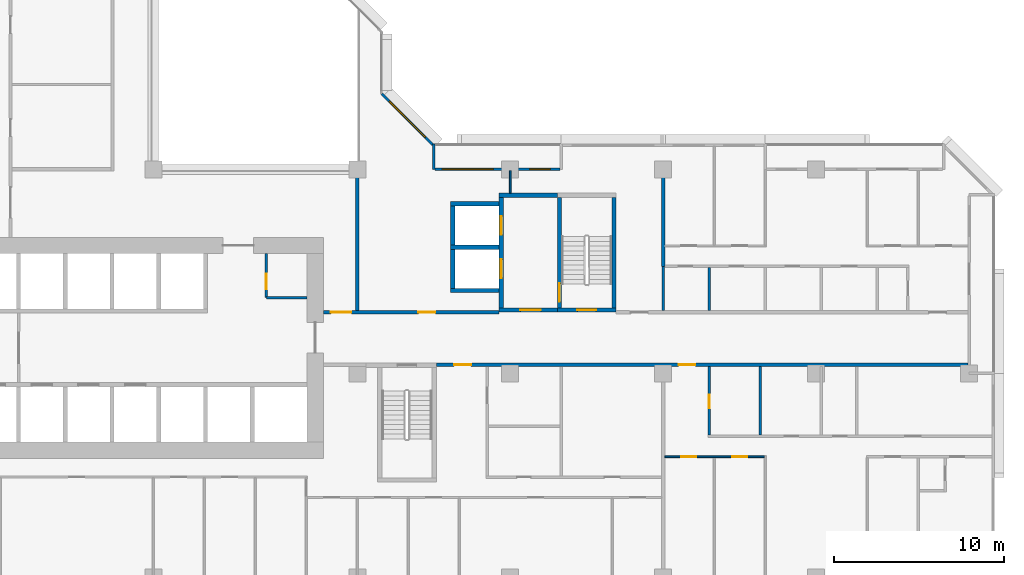
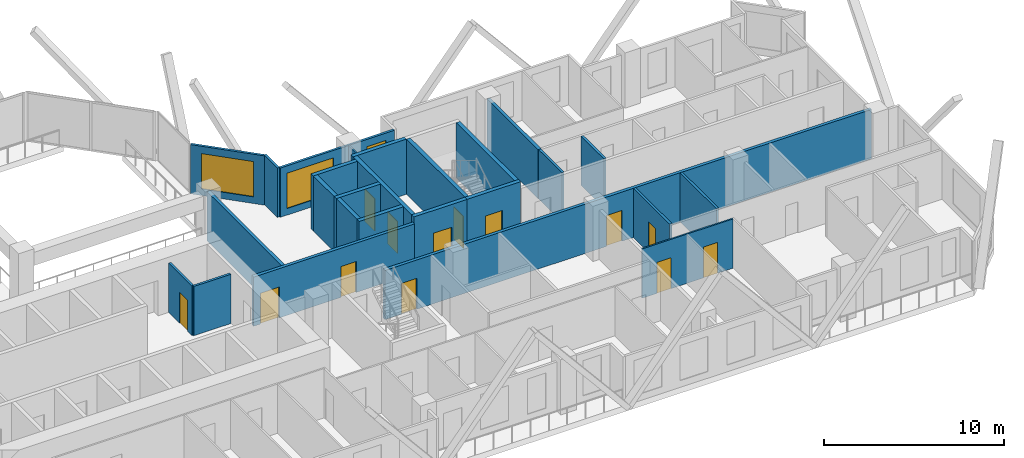
# One storey, part 7 of 16: 26 walls, 13 doors, 3 windows, 16 openings.
"""IFC4 building model written with IfcOpenShell, lengths in metres."""

import ifcopenshell
import ifcopenshell.guid

model = None  # the IFC model being written
_history = None  # IfcOwnerHistory: only IFC2X3 demands one
_inside = {}  # id of a spatial element -> (the spatial element, [elements in it])
_under = {}  # id of a project, library or spatial element -> (it, [spatial elements below it])
_declared = {}  # id of a project -> (the project, [libraries it declares])
_typed = {}  # id of a type object -> (the type object, [elements of that type])
_made_of = {}  # id of a material, layer set ... -> (it, [elements and type objects made of it])


def new_model(schema):
    """Start an empty IFC model of exactly this schema.

    Asked for "IFC4X3", IfcOpenShell would pick the latest addendum, in which some entities
    have other attributes; the version numbers below select the first issue.
    IFC2X3 requires an IfcOwnerHistory on every rooted entity: one is made here for all.
    """
    global model, _history
    if schema == "IFC4X3":
        model = ifcopenshell.file(schema_version=(4, 3, 0, 0))
    else:
        model = ifcopenshell.file(schema=schema)
    _inside.clear()
    _under.clear()
    _declared.clear()
    _typed.clear()
    _made_of.clear()
    _history = None
    if model.schema == "IFC2X3":
        org = make("IfcOrganization", Name="unknown")
        user = make(
            "IfcPersonAndOrganization",
            ThePerson=make("IfcPerson", FamilyName="unknown"),
            TheOrganization=org,
        )
        app = make(
            "IfcApplication",
            ApplicationDeveloper=org,
            Version="unknown",
            ApplicationFullName="unknown",
            ApplicationIdentifier="unknown",
        )
        _history = make(
            "IfcOwnerHistory",
            OwningUser=user,
            OwningApplication=app,
            ChangeAction="ADDED",
            CreationDate=0,
        )
    return model


def make(cls, **values):
    """One entity of the class cls with the attributes given. An attribute that is None is left unset."""
    return model.create_entity(
        cls, **{name: value for name, value in values.items() if value is not None}
    )


def rooted(cls, **values):
    """An entity with a GlobalId (a new one), such as an element, a storey or a relation."""
    return make(cls, GlobalId=ifcopenshell.guid.new(), OwnerHistory=_history, **values)


def si_unit(unit_type, name, prefix=None):
    """IfcSIUnit, for example si_unit("LENGTHUNIT", "METRE", prefix="MILLI")."""
    return make("IfcSIUnit", UnitType=unit_type, Prefix=prefix, Name=name)


def assignment(units):
    """IfcUnitAssignment: the units of a project."""
    return None if units is None else make("IfcUnitAssignment", Units=units)


def point(xyz):
    """IfcCartesianPoint."""
    return None if xyz is None else make("IfcCartesianPoint", Coordinates=xyz)


def direction(xyz):
    """IfcDirection."""
    return None if xyz is None else make("IfcDirection", DirectionRatios=xyz)


def frame(location, z_axis=None, x_axis=None):
    """IfcAxis2Placement3D, a coordinate frame: its origin and axes. An axis left out is left unset."""
    return make(
        "IfcAxis2Placement3D",
        Location=point(location),
        Axis=direction(z_axis),
        RefDirection=direction(x_axis),
    )


def frame_2d(location, x_axis=None):
    """IfcAxis2Placement2D, a coordinate frame in the plane: its origin and x axis."""
    return make(
        "IfcAxis2Placement2D", Location=point(location), RefDirection=direction(x_axis)
    )


def origin():
    """The frame at (0, 0, 0) with its axes left unset."""
    return frame((0.0, 0.0, 0.0))


def place(relative_to, where):
    """IfcLocalPlacement: puts the frame where relative to a parent placement (None: the world)."""
    return make(
        "IfcLocalPlacement", PlacementRelTo=relative_to, RelativePlacement=where
    )


def context(
    kind, dimensions, precision=None, world=None, true_north=None, identifier=None
):
    """IfcGeometricRepresentationContext, for example the 3D "Model" context."""
    return make(
        "IfcGeometricRepresentationContext",
        ContextIdentifier=identifier,
        ContextType=kind,
        CoordinateSpaceDimension=dimensions,
        Precision=precision,
        WorldCoordinateSystem=world,
        TrueNorth=true_north,
    )


def subcontext(parent, identifier, kind, view, scale=None):
    """IfcGeometricRepresentationSubContext, for example "Body" below "Model"."""
    return make(
        "IfcGeometricRepresentationSubContext",
        ContextIdentifier=identifier,
        ContextType=kind,
        ParentContext=parent,
        TargetScale=scale,
        TargetView=view,
    )


def project(units=None, contexts=None):
    """IfcProject with its units and contexts."""
    return rooted(
        "IfcProject",
        Name="project",
        RepresentationContexts=contexts,
        UnitsInContext=assignment(units),
    )


def spatial(cls, under=None, at=None, **own):
    """A site, building, storey or space (cls), placed at a placement, below another one or the project."""
    s = rooted(cls, ObjectPlacement=at, **own)
    if under is not None:
        _under.setdefault(under.id(), (under, []))[1].append(s)
    return s


def profile(cls, at=None, kind="AREA", **sizes):
    """A parametric profile (cls). Its sizes go by their IFC names, for example OverallWidth=200.0."""
    return make(cls, ProfileType=kind, Position=at, **sizes)


def rectangle(**sizes):
    """IfcRectangleProfileDef."""
    return profile("IfcRectangleProfileDef", **sizes)


def extrude(swept, where, along, depth):
    """IfcExtrudedAreaSolid: the profile swept, set in the frame where, extruded along a direction by depth."""
    return make(
        "IfcExtrudedAreaSolid",
        SweptArea=swept,
        Position=where,
        ExtrudedDirection=direction(along),
        Depth=depth,
    )


def shape(context_of_items, identifier, shape_type, items):
    """IfcShapeRepresentation: the items that make up one representation, for example the "Body"."""
    return make(
        "IfcShapeRepresentation",
        ContextOfItems=context_of_items,
        RepresentationIdentifier=identifier,
        RepresentationType=shape_type,
        Items=items,
    )


def material(Name=None, Category=None):
    """IfcMaterial."""
    return make("IfcMaterial", Name=Name, Category=Category)


def layer(
    of_material, thickness, ventilated=None, Name=None, Category=None, Priority=None
):
    """IfcMaterialLayer: one layer of a wall or slab, of a material (None: an air gap)."""
    return make(
        "IfcMaterialLayer",
        Material=of_material,
        LayerThickness=thickness,
        IsVentilated=ventilated,
        Name=Name,
        Category=Category,
        Priority=Priority,
    )


def layer_set(layers, Name=None):
    """IfcMaterialLayerSet."""
    return make("IfcMaterialLayerSet", MaterialLayers=layers, LayerSetName=Name)


def made_of(thing, what):
    """Note that an element or type object is made of a material, layer set ...; save() writes the relation."""
    if what is not None:
        _made_of.setdefault(what.id(), (what, []))[1].append(thing)
    return thing


def type_object(cls, material=None, **own):
    """A type object (cls), such as IfcWallType, which elements share."""
    return made_of(rooted(cls, **own), material)


def element(
    cls,
    number,
    at=None,
    inside=None,
    cuts=None,
    type_object=None,
    material=None,
    context=None,
    identifier="Body",
    shape_type=None,
    held_by="IfcProductDefinitionShape",
    body=None,
    shapes=None,
    **own,
):
    """One element of the class cls, such as IfcWall. Its Tag is "e" and its number.

    at: its placement. inside: the storey or other place that contains it. cuts: it is an
    opening in that element (IfcRelVoidsElement). A single representation is given by context,
    identifier, shape_type and body (its items); several are given by shapes. held_by: the class
    of the entity that holds the representations. save() writes the other relations.
    """
    e = rooted(cls, Tag="e%d" % number, ObjectPlacement=at, **own)
    if body is not None:
        shapes = [shape(context, identifier, shape_type, body)]
    if shapes is not None:
        e.Representation = make(held_by, Representations=shapes)
    if inside is not None:
        _inside.setdefault(inside.id(), (inside, []))[1].append(e)
    if cuts is not None:
        rooted(
            "IfcRelVoidsElement", RelatingBuildingElement=cuts, RelatedOpeningElement=e
        )
    if type_object is not None:
        _typed.setdefault(type_object.id(), (type_object, []))[1].append(e)
    return made_of(e, material)


def fill(opening, filler):
    """IfcRelFillsElement: the door or window that sits in an opening."""
    return rooted(
        "IfcRelFillsElement",
        RelatingOpeningElement=opening,
        RelatedBuildingElement=filler,
    )


def aggregate(whole, parts):
    """IfcRelAggregates: a whole, such as a stair, and the parts it consists of."""
    return rooted("IfcRelAggregates", RelatingObject=whole, RelatedObjects=parts)


def save(model, path):
    """Write the relations noted so far, then the file.

    IfcRelAggregates (storeys below a building ...), IfcRelContainedInSpatialStructure (elements
    in a storey), IfcRelDefinesByType, IfcRelAssociatesMaterial and IfcRelDeclares: one each for
    every whole, place, type object, material and project.
    """
    for whole, parts in _under.values():
        aggregate(whole, parts)
    for where, things in _inside.values():
        rooted(
            "IfcRelContainedInSpatialStructure",
            RelatedElements=things,
            RelatingStructure=where,
        )
    for kind, things in _typed.values():
        rooted("IfcRelDefinesByType", RelatedObjects=things, RelatingType=kind)
    for what, things in _made_of.values():
        rooted("IfcRelAssociatesMaterial", RelatedObjects=things, RelatingMaterial=what)
    for by, libraries in _declared.values():
        rooted("IfcRelDeclares", RelatingContext=by, RelatedDefinitions=libraries)
    model.write(path)


model = new_model("IFC4")

# Units and contexts
model_context = context("Model", 3, precision=1e-05, world=origin(), true_north=direction((0.0, 1.0)))
body_context = subcontext(model_context, "Body", "Model", "MODEL_VIEW")
ifc_project = project(units=[si_unit("LENGTHUNIT", "METRE"), si_unit("AREAUNIT", "SQUARE_METRE"), si_unit("VOLUMEUNIT", "CUBIC_METRE"), si_unit("PLANEANGLEUNIT", "RADIAN"), si_unit("MASSUNIT", "GRAM", prefix="KILO")], contexts=[model_context])

# Site, building, storey
site_placement = place(None, origin())
site = spatial("IfcSite", under=ifc_project, at=site_placement, CompositionType="ELEMENT")
building_placement = place(site_placement, origin())
building = spatial("IfcBuilding", under=site, at=building_placement, Name="Chenar Terraces", CompositionType="ELEMENT")
storey_placement = place(building_placement, frame((0.0, 0.0, 99.39990234375)))
storey = spatial("IfcBuildingStorey", under=building, at=storey_placement, Name="L22", CompositionType="ELEMENT", Elevation=99.39990234375)

# Wall, opening, door
ifc_material_1 = material(Name="Gypsum board on steel studs", Category="steel")
ifc_layer_1 = layer(ifc_material_1, 0.14990234375)
ifc_layer_set_1 = layer_set([ifc_layer_1], Name="Gypsum board on steel studs")
wall_type_1 = type_object("IfcWallType", Name="Core partition 150 gypsum board", PredefinedType="PARTITIONING", material=ifc_layer_set_1)
wall_1_placement = place(storey_placement, frame((30.64990234375, 16.449951171875, 0.0), z_axis=(0.0, 0.0, 1.0), x_axis=(0.0, 1.0, 0.0)))
wall_1 = element("IfcWall", 1, at=wall_1_placement, inside=storey, type_object=wall_type_1, Name="Core partition CP1 vestibule room west wall", PredefinedType="PARTITIONING", context=body_context, shape_type="SweptSolid", body=[
    extrude(rectangle(XDim=2.60009765625, YDim=0.14990234375, at=frame_2d((1.300048828125, 0.0))), origin(), (0.0, 0.0, 1.0), 3.35009765625),
])
opening_1_placement = place(wall_1_placement, frame((0.5, 0.0, 0.0)))
opening_1 = element("IfcOpeningElement", 2, at=opening_1_placement, cuts=wall_1, Name="Opening DL22-C13", PredefinedType="OPENING", context=body_context, shape_type="SweptSolid", body=[
    extrude(rectangle(XDim=0.89990234375, YDim=2.10009765625, at=frame_2d((0.449951171875, 1.050048828125))), frame((0.0, 0.0849609375, 0.0), z_axis=(0.0, -1.0, 0.0), x_axis=(1.0, 0.0, 0.0)), (0.0, 0.0, 1.0), 0.169921875),
])
ifc_material_2 = material(Name="Steel-framed fire-resisting door leaf", Category="steel")
door_type_1 = type_object("IfcDoorType", Name="Riser fire door FD60 900 x 2100", OperationType="SINGLE_SWING_LEFT", PredefinedType="DOOR", material=ifc_material_2)
door_1_placement = place(opening_1_placement, frame((0.89990234375, 0.0, 0.0), z_axis=(0.0, 0.0, 1.0), x_axis=(-1.0, 0.0, 0.0)))
door_1 = element("IfcDoor", 3, at=door_1_placement, inside=storey, type_object=door_type_1, Name="Core room door DL22-C13", OperationType="SINGLE_SWING_RIGHT", OverallHeight=2.10009765625, OverallWidth=0.89990234375, PredefinedType="DOOR", context=body_context, shape_type="SweptSolid", body=[
    extrude(rectangle(XDim=0.89990234375, YDim=2.10009765625, at=frame_2d((0.449951171875, 1.050048828125))), frame((0.0, 0.02490234375, 0.0), z_axis=(0.0, -1.0, 0.0), x_axis=(1.0, 0.0, 0.0)), (0.0, 0.0, 1.0), 0.050048828125),
])
fill(opening_1, door_1)

# Wall
wall_2_placement = place(storey_placement, frame((30.64990234375, 16.449951171875, 0.0), z_axis=(0.0, 0.0, 1.0), x_axis=(1.0, 0.0, 0.0)))
element("IfcWall", 4, at=wall_2_placement, inside=storey, type_object=wall_type_1, Name="Core partition CP1 vestibule room south wall", PredefinedType="PARTITIONING", context=body_context, shape_type="SweptSolid", body=[
    extrude(rectangle(XDim=2.400146484375, YDim=0.14990234375, at=frame_2d((1.2001953125, 0.0))), origin(), (0.0, 0.0, 1.0), 3.35009765625),
])

# Wall, opening, door
ifc_material_3 = material(Name="Concrete C70/85", Category="concrete")
ifc_layer_2 = layer(ifc_material_3, 0.25)
ifc_layer_set_2 = layer_set([ifc_layer_2], Name="Concrete C70/85")
wall_type_2 = type_object("IfcWallType", Name="Core wall 250 Concrete C70/85", PredefinedType="SHEAR", material=ifc_layer_set_2)
wall_3_placement = place(storey_placement, frame((47.77490234375, 15.72509765625, 0.0), z_axis=(0.0, 0.0, 1.0), x_axis=(1.0, 0.0, 0.0)))
wall_3 = element("IfcWall", 5, at=wall_3_placement, inside=storey, type_object=wall_type_2, Name="Core wall ST3_S L22", PredefinedType="SHEAR", context=body_context, shape_type="SweptSolid", body=[
    extrude(rectangle(XDim=3.4501953125, YDim=0.25, at=frame_2d((1.72509765625, 0.0))), origin(), (0.0, 0.0, 1.0), 3.75),
])
opening_2_placement = place(wall_3_placement, frame((1.175048828125, 0.0, 0.0)))
opening_2 = element("IfcOpeningElement", 6, at=opening_2_placement, cuts=wall_3, Name="Opening DL22-C8", PredefinedType="OPENING", context=body_context, shape_type="SweptSolid", body=[
    extrude(rectangle(XDim=1.10009765625, YDim=2.199951171875, at=frame_2d((0.550048828125, 1.10009765625))), frame((0.0, 0.135009765625, 0.0), z_axis=(0.0, -1.0, 0.0), x_axis=(1.0, 0.0, 0.0)), (0.0, 0.0, 1.0), 0.27001953125),
])
ifc_material_4 = material(Name="Steel-framed fire-resisting door leaf", Category="steel")
door_type_2 = type_object("IfcDoorType", Name="Stair fire door FD60 1100 x 2200", OperationType="SINGLE_SWING_LEFT", PredefinedType="DOOR", material=ifc_material_4)
door_2_placement = place(opening_2_placement, frame((1.10009765625, 0.0, 0.0), z_axis=(0.0, 0.0, 1.0), x_axis=(-1.0, 0.0, 0.0)))
door_2 = element("IfcDoor", 7, at=door_2_placement, inside=storey, type_object=door_type_2, Name="Stair door DL22-C8", OperationType="SINGLE_SWING_LEFT", OverallHeight=2.199951171875, OverallWidth=1.10009765625, PredefinedType="DOOR", context=body_context, shape_type="SweptSolid", body=[
    extrude(rectangle(XDim=1.10009765625, YDim=2.199951171875, at=frame_2d((0.550048828125, 1.10009765625))), frame((0.0, 0.02490234375, 0.0), z_axis=(0.0, -1.0, 0.0), x_axis=(1.0, 0.0, 0.0)), (0.0, 0.0, 1.0), 0.050048828125),
])
fill(opening_2, door_2)

wall_4_placement = place(storey_placement, frame((47.89990234375, 15.85009765625, 0.0), z_axis=(0.0, 0.0, 1.0), x_axis=(0.0, 1.0, 0.0)))
wall_4 = element("IfcWall", 8, at=wall_4_placement, inside=storey, type_object=wall_type_2, Name="Core wall ST3_W L22", PredefinedType="SHEAR", context=body_context, shape_type="SweptSolid", body=[
    extrude(rectangle(XDim=6.5, YDim=0.25, at=frame_2d((3.25, 0.0))), origin(), (0.0, 0.0, 1.0), 3.75),
])
opening_3_placement = place(wall_4_placement, frame((0.35009765625, 0.0, 0.0)))
opening_3 = element("IfcOpeningElement", 9, at=opening_3_placement, cuts=wall_4, Name="Opening DL22-C11", PredefinedType="OPENING", context=body_context, shape_type="SweptSolid", body=[
    extrude(rectangle(XDim=1.10009765625, YDim=2.199951171875, at=frame_2d((0.550048828125, 1.10009765625))), frame((0.0, 0.135009765625, 0.0), z_axis=(0.0, -1.0, 0.0), x_axis=(1.0, 0.0, 0.0)), (0.0, 0.0, 1.0), 0.27001953125),
])
door_3_placement = place(opening_3_placement, frame((1.10009765625, 0.0, 0.0), z_axis=(0.0, 0.0, 1.0), x_axis=(-1.0, 0.0, 0.0)))
door_3 = element("IfcDoor", 10, at=door_3_placement, inside=storey, type_object=door_type_2, Name="Stair door DL22-C11", OperationType="SINGLE_SWING_RIGHT", OverallHeight=2.199951171875, OverallWidth=1.10009765625, PredefinedType="DOOR", context=body_context, shape_type="SweptSolid", body=[
    extrude(rectangle(XDim=1.10009765625, YDim=2.199951171875, at=frame_2d((0.550048828125, 1.10009765625))), frame((0.0, 0.02490234375, 0.0), z_axis=(0.0, -1.0, 0.0), x_axis=(1.0, 0.0, 0.0)), (0.0, 0.0, 1.0), 0.050048828125),
])
fill(opening_3, door_3)

# Wall
wall_5_placement = place(storey_placement, frame((51.10009765625, 15.85009765625, 0.0), z_axis=(0.0, 0.0, 1.0), x_axis=(0.0, 1.0, 0.0)))
element("IfcWall", 11, at=wall_5_placement, inside=storey, type_object=wall_type_2, Name="Core wall ST3_E L22", PredefinedType="SHEAR", context=body_context, shape_type="SweptSolid", body=[
    extrude(rectangle(XDim=6.5, YDim=0.25, at=frame_2d((3.25, 0.0))), origin(), (0.0, 0.0, 1.0), 3.75),
])

# Wall, opening, door
wall_6_placement = place(storey_placement, frame((44.35009765625, 15.72509765625, 0.0), z_axis=(0.0, 0.0, 1.0), x_axis=(1.0, 0.0, 0.0)))
wall_6 = element("IfcWall", 12, at=wall_6_placement, inside=storey, type_object=wall_type_2, Name="Core wall F3_LS L22", PredefinedType="SHEAR", context=body_context, shape_type="SweptSolid", body=[
    extrude(rectangle(XDim=3.4248046875, YDim=0.25, at=frame_2d((1.71240234375, 0.0))), origin(), (0.0, 0.0, 1.0), 3.75),
])
opening_4_placement = place(wall_6_placement, frame((1.25, 0.0, 0.0)))
opening_4 = element("IfcOpeningElement", 13, at=opening_4_placement, cuts=wall_6, Name="Opening DL22-C10", PredefinedType="OPENING", context=body_context, shape_type="SweptSolid", body=[
    extrude(rectangle(XDim=1.199951171875, YDim=2.199951171875, at=frame_2d((0.60009765625, 1.10009765625))), frame((0.0, 0.135009765625, 0.0), z_axis=(0.0, -1.0, 0.0), x_axis=(1.0, 0.0, 0.0)), (0.0, 0.0, 1.0), 0.27001953125),
])
ifc_material_5 = material(Name="Steel-framed fire-resisting door leaf", Category="steel")
door_type_3 = type_object("IfcDoorType", Name="Lobby fire door FD60 1200 x 2200", OperationType="SINGLE_SWING_LEFT", PredefinedType="DOOR", material=ifc_material_5)
door_4_placement = place(opening_4_placement, origin())
door_4 = element("IfcDoor", 14, at=door_4_placement, inside=storey, type_object=door_type_3, Name="Core door DL22-C10", OperationType="SINGLE_SWING_RIGHT", OverallHeight=2.199951171875, OverallWidth=1.199951171875, PredefinedType="DOOR", context=body_context, shape_type="SweptSolid", body=[
    extrude(rectangle(XDim=1.199951171875, YDim=2.199951171875, at=frame_2d((0.60009765625, 1.10009765625))), frame((0.0, 0.02490234375, 0.0), z_axis=(0.0, -1.0, 0.0), x_axis=(1.0, 0.0, 0.0)), (0.0, 0.0, 1.0), 0.050048828125),
])
fill(opening_4, door_4)

# Wall
wall_7_placement = place(storey_placement, frame((44.35009765625, 22.47509765625, 0.0), z_axis=(0.0, 0.0, 1.0), x_axis=(1.0, 0.0, 0.0)))
element("IfcWall", 15, at=wall_7_placement, inside=storey, type_object=wall_type_2, Name="Core wall F3_LN L22", PredefinedType="SHEAR", context=body_context, shape_type="SweptSolid", body=[
    extrude(rectangle(XDim=3.4248046875, YDim=0.25, at=frame_2d((1.71240234375, 0.0))), origin(), (0.0, 0.0, 1.0), 3.75),
])

# Wall, openings, doors
wall_8_placement = place(storey_placement, frame((44.47509765625, 15.85009765625, 0.0), z_axis=(0.0, 0.0, 1.0), x_axis=(0.0, 1.0, 0.0)))
wall_8 = element("IfcWall", 16, at=wall_8_placement, inside=storey, type_object=wall_type_2, Name="Core wall F3_LW L22", PredefinedType="SHEAR", context=body_context, shape_type="SweptSolid", body=[
    extrude(rectangle(XDim=6.5, YDim=0.25, at=frame_2d((3.25, 0.0))), origin(), (0.0, 0.0, 1.0), 3.75),
])
opening_5_placement = place(wall_8_placement, frame((1.75, 0.0, 0.0)))
opening_5 = element("IfcOpeningElement", 17, at=opening_5_placement, cuts=wall_8, Name="Opening DL22-LD8", PredefinedType="OPENING", context=body_context, shape_type="SweptSolid", body=[
    extrude(rectangle(XDim=1.10009765625, YDim=2.199951171875, at=frame_2d((0.550048828125, 1.10009765625))), frame((0.0, 0.135009765625, 0.0), z_axis=(0.0, -1.0, 0.0), x_axis=(1.0, 0.0, 0.0)), (0.0, 0.0, 1.0), 0.27001953125),
])
opening_6_placement = place(wall_8_placement, frame((4.300048828125, 0.0, 0.0)))
opening_6 = element("IfcOpeningElement", 18, at=opening_6_placement, cuts=wall_8, Name="Opening DL22-LD9", PredefinedType="OPENING", context=body_context, shape_type="SweptSolid", body=[
    extrude(rectangle(XDim=1.10009765625, YDim=2.199951171875, at=frame_2d((0.550048828125, 1.10009765625))), frame((0.0, 0.135009765625, 0.0), z_axis=(0.0, -1.0, 0.0), x_axis=(1.0, 0.0, 0.0)), (0.0, 0.0, 1.0), 0.27001953125),
])
ifc_material_6 = material(Name="Stainless steel", Category="steel")
door_type_4 = type_object("IfcDoorType", Name="Lift landing door 1100 x 2200 sliding", OperationType="DOUBLE_DOOR_SLIDING", PredefinedType="DOOR", material=ifc_material_6)
door_5_placement = place(opening_5_placement, origin())
door_5 = element("IfcDoor", 19, at=door_5_placement, inside=storey, type_object=door_type_4, Name="Landing door F3", OperationType="DOUBLE_DOOR_SLIDING", OverallHeight=2.199951171875, OverallWidth=1.10009765625, PredefinedType="DOOR", context=body_context, shape_type="SweptSolid", body=[
    extrude(rectangle(XDim=1.10009765625, YDim=2.199951171875, at=frame_2d((0.550048828125, 1.10009765625))), frame((0.0, 0.02490234375, 0.0), z_axis=(0.0, -1.0, 0.0), x_axis=(1.0, 0.0, 0.0)), (0.0, 0.0, 1.0), 0.050048828125),
])
fill(opening_5, door_5)
door_6_placement = place(opening_6_placement, origin())
door_6 = element("IfcDoor", 20, at=door_6_placement, inside=storey, type_object=door_type_4, Name="Landing door F4", OperationType="DOUBLE_DOOR_SLIDING", OverallHeight=2.199951171875, OverallWidth=1.10009765625, PredefinedType="DOOR", context=body_context, shape_type="SweptSolid", body=[
    extrude(rectangle(XDim=1.10009765625, YDim=2.199951171875, at=frame_2d((0.550048828125, 1.10009765625))), frame((0.0, 0.02490234375, 0.0), z_axis=(0.0, -1.0, 0.0), x_axis=(1.0, 0.0, 0.0)), (0.0, 0.0, 1.0), 0.050048828125),
])
fill(opening_6, door_6)

# Walls
for number, where, z_axis, x_axis, name in (
    (21, (41.5, 16.875, 0.0), (0.0, 0.0, 1.0), (1.0, 0.0, 0.0), "Core wall F3_SS L22"),
    (22, (41.5, 19.425048828125, 0.0), (0.0, 0.0, 1.0), (1.0, 0.0, 0.0), "Core wall F3_SM L22"),
    (23, (41.5, 21.97509765625, 0.0), (0.0, 0.0, 1.0), (1.0, 0.0, 0.0), "Core wall F4_SN L22"),
):
    element("IfcWall", number, at=place(storey_placement, frame(where, z_axis=z_axis, x_axis=x_axis)), inside=storey, type_object=wall_type_2, Name=name, PredefinedType="SHEAR", context=body_context, shape_type="SweptSolid", body=[
        extrude(rectangle(XDim=2.85009765625, YDim=0.25, at=frame_2d((1.425048828125, 0.0))), origin(), (0.0, 0.0, 1.0), 3.75),
    ])
for number, where, z_axis, x_axis, name in (
    (24, (41.625, 17.0, 0.0), (0.0, 0.0, 1.0), (0.0, 1.0, 0.0), "Core wall F3_SW L22"),
    (25, (41.625, 19.550048828125, 0.0), (0.0, 0.0, 1.0), (0.0, 1.0, 0.0), "Core wall F4_SW L22"),
):
    element("IfcWall", number, at=place(storey_placement, frame(where, z_axis=z_axis, x_axis=x_axis)), inside=storey, type_object=wall_type_2, Name=name, PredefinedType="SHEAR", context=body_context, shape_type="SweptSolid", body=[
        extrude(rectangle(XDim=2.300048828125, YDim=0.25, at=frame_2d((1.14990234375, 0.0))), origin(), (0.0, 0.0, 1.0), 3.75),
    ])

# Wall, openings, doors
ifc_material_7 = material(Name="Gypsum board on steel studs with fire boards", Category="steel")
ifc_layer_3 = layer(ifc_material_7, 0.199951171875)
ifc_layer_set_3 = layer_set([ifc_layer_3], Name="Gypsum board on steel studs with fire boards")
wall_type_3 = type_object("IfcWallType", Name="Corridor wall 200", PredefinedType="PARTITIONING", material=ifc_layer_set_3)
wall_9_placement = place(storey_placement, frame((34.0, 15.60009765625, 0.0), z_axis=(0.0, 0.0, 1.0), x_axis=(1.0, 0.0, 0.0)))
wall_9 = element("IfcWall", 26, at=wall_9_placement, inside=storey, type_object=wall_type_3, Name="Partition L22-062", PredefinedType="PARTITIONING", context=body_context, shape_type="SweptSolid", body=[
    extrude(rectangle(XDim=10.35009765625, YDim=0.199951171875, at=frame_2d((5.175048828125, 0.0))), origin(), (0.0, 0.0, 1.0), 3.35009765625),
])
opening_7_placement = place(wall_9_placement, frame((5.60009765625, 0.0, 0.0)))
opening_7 = element("IfcOpeningElement", 27, at=opening_7_placement, cuts=wall_9, Name="Opening DL22-3", PredefinedType="OPENING", context=body_context, shape_type="SweptSolid", body=[
    extrude(rectangle(XDim=1.0, YDim=2.10009765625, at=frame_2d((0.5, 1.050048828125))), frame((0.0, 0.10986328125, 0.0), z_axis=(0.0, -1.0, 0.0), x_axis=(1.0, 0.0, 0.0)), (0.0, 0.0, 1.0), 0.219970703125),
])
opening_8_placement = place(wall_9_placement, frame((0.449951171875, 0.0, 0.0)))
opening_8 = element("IfcOpeningElement", 28, at=opening_8_placement, cuts=wall_9, Name="Opening DL22-48", PredefinedType="OPENING", context=body_context, shape_type="SweptSolid", body=[
    extrude(rectangle(XDim=1.199951171875, YDim=2.10009765625, at=frame_2d((0.60009765625, 1.050048828125))), frame((0.0, 0.10986328125, 0.0), z_axis=(0.0, -1.0, 0.0), x_axis=(1.0, 0.0, 0.0)), (0.0, 0.0, 1.0), 0.219970703125),
])
ifc_material_8 = material(Name="Steel-framed fire-resisting door leaf", Category="steel")
door_type_5 = type_object("IfcDoorType", Name="Fire door FD60 1000 x 2100", OperationType="SINGLE_SWING_LEFT", PredefinedType="DOOR", material=ifc_material_8)
door_7_placement = place(opening_7_placement, origin())
door_7 = element("IfcDoor", 29, at=door_7_placement, inside=storey, type_object=door_type_5, Name="Door DL22-3", OperationType="SINGLE_SWING_RIGHT", OverallHeight=2.10009765625, OverallWidth=1.0, PredefinedType="DOOR", context=body_context, shape_type="SweptSolid", body=[
    extrude(rectangle(XDim=1.0, YDim=2.10009765625, at=frame_2d((0.5, 1.050048828125))), frame((0.0, 0.02490234375, 0.0), z_axis=(0.0, -1.0, 0.0), x_axis=(1.0, 0.0, 0.0)), (0.0, 0.0, 1.0), 0.050048828125),
])
fill(opening_7, door_7)
ifc_material_9 = material(Name="Steel-framed fire-resisting door leaf", Category="steel")
door_type_6 = type_object("IfcDoorType", Name="Fire door FD60 1200 x 2100", OperationType="SINGLE_SWING_LEFT", PredefinedType="DOOR", material=ifc_material_9)
door_8_placement = place(opening_8_placement, origin())
door_8 = element("IfcDoor", 30, at=door_8_placement, inside=storey, type_object=door_type_6, Name="Door DL22-48", OperationType="SINGLE_SWING_RIGHT", OverallHeight=2.10009765625, OverallWidth=1.199951171875, PredefinedType="DOOR", context=body_context, shape_type="SweptSolid", body=[
    extrude(rectangle(XDim=1.199951171875, YDim=2.10009765625, at=frame_2d((0.60009765625, 1.050048828125))), frame((0.0, 0.02490234375, 0.0), z_axis=(0.0, -1.0, 0.0), x_axis=(1.0, 0.0, 0.0)), (0.0, 0.0, 1.0), 0.050048828125),
])
fill(opening_8, door_8)

# Wall
wall_10_placement = place(storey_placement, frame((36.0, 15.699951171875, 0.0), z_axis=(0.0, 0.0, 1.0), x_axis=(0.0, 1.0, 0.0)))
element("IfcWall", 31, at=wall_10_placement, inside=storey, type_object=wall_type_3, Name="Partition L22-064", PredefinedType="PARTITIONING", context=body_context, shape_type="SweptSolid", body=[
    extrude(rectangle(XDim=8.300048828125, YDim=0.199951171875, at=frame_2d((4.14990234375, 0.0))), origin(), (0.0, 0.0, 1.0), 3.35009765625),
])

# Wall, openings, doors
wall_11_placement = place(storey_placement, frame((40.64990234375, 12.5, 0.0), z_axis=(0.0, 0.0, 1.0), x_axis=(1.0, 0.0, 0.0)))
wall_11 = element("IfcWall", 32, at=wall_11_placement, inside=storey, type_object=wall_type_3, Name="Partition L22-066", PredefinedType="PARTITIONING", context=body_context, shape_type="SweptSolid", body=[
    extrude(rectangle(XDim=31.276123046875, YDim=0.199951171875, at=frame_2d((15.63818359375, 0.0))), origin(), (0.0, 0.0, 1.0), 3.35009765625),
])
opening_9_placement = place(wall_11_placement, frame((14.25, 0.0, 0.0)))
opening_9 = element("IfcOpeningElement", 33, at=opening_9_placement, cuts=wall_11, Name="Opening DL22-18", PredefinedType="OPENING", context=body_context, shape_type="SweptSolid", body=[
    extrude(rectangle(XDim=1.0, YDim=2.10009765625, at=frame_2d((0.5, 1.050048828125))), frame((0.0, 0.10986328125, 0.0), z_axis=(0.0, -1.0, 0.0), x_axis=(1.0, 0.0, 0.0)), (0.0, 0.0, 1.0), 0.219970703125),
])
opening_10_placement = place(wall_11_placement, frame((1.050048828125, 0.0, 0.0)))
opening_10 = element("IfcOpeningElement", 34, at=opening_10_placement, cuts=wall_11, Name="Opening DL22-64", PredefinedType="OPENING", context=body_context, shape_type="SweptSolid", body=[
    extrude(rectangle(XDim=1.0, YDim=2.10009765625, at=frame_2d((0.5, 1.050048828125))), frame((0.0, 0.10986328125, 0.0), z_axis=(0.0, -1.0, 0.0), x_axis=(1.0, 0.0, 0.0)), (0.0, 0.0, 1.0), 0.219970703125),
])
ifc_material_10 = material(Name="Steel-framed fire-resisting door leaf", Category="steel")
door_type_7 = type_object("IfcDoorType", Name="Fire door FD30S 1000 x 2100", OperationType="SINGLE_SWING_LEFT", PredefinedType="DOOR", material=ifc_material_10)
door_9_placement = place(opening_9_placement, frame((1.0, 0.0, 0.0), z_axis=(0.0, 0.0, 1.0), x_axis=(-1.0, 0.0, 0.0)))
door_9 = element("IfcDoor", 35, at=door_9_placement, inside=storey, type_object=door_type_7, Name="Door DL22-18", OperationType="SINGLE_SWING_RIGHT", OverallHeight=2.10009765625, OverallWidth=1.0, PredefinedType="DOOR", context=body_context, shape_type="SweptSolid", body=[
    extrude(rectangle(XDim=1.0, YDim=2.10009765625, at=frame_2d((0.5, 1.050048828125))), frame((0.0, 0.02490234375, 0.0), z_axis=(0.0, -1.0, 0.0), x_axis=(1.0, 0.0, 0.0)), (0.0, 0.0, 1.0), 0.050048828125),
])
fill(opening_9, door_9)
door_10_placement = place(opening_10_placement, origin())
door_10 = element("IfcDoor", 36, at=door_10_placement, inside=storey, type_object=door_type_7, Name="Door DL22-64", OperationType="SINGLE_SWING_RIGHT", OverallHeight=2.10009765625, OverallWidth=1.0, PredefinedType="DOOR", context=body_context, shape_type="SweptSolid", body=[
    extrude(rectangle(XDim=1.0, YDim=2.10009765625, at=frame_2d((0.5, 1.050048828125))), frame((0.0, 0.02490234375, 0.0), z_axis=(0.0, -1.0, 0.0), x_axis=(1.0, 0.0, 0.0)), (0.0, 0.0, 1.0), 0.050048828125),
])
fill(opening_10, door_10)

# Wall, openings, windows
ifc_material_11 = material(Name="Aluminium framed glazing", Category="aluminium")
ifc_layer_4 = layer(ifc_material_11, 0.14990234375)
ifc_layer_set_4 = layer_set([ifc_layer_4], Name="Aluminium framed glazing")
wall_type_4 = type_object("IfcWallType", Name="Glazed loggia back wall 150", PredefinedType="SOLIDWALL", material=ifc_layer_set_4)
wall_12_placement = place(storey_placement, frame((47.925048828125, 24.0, 0.0), z_axis=(0.0, 0.0, 1.0), x_axis=(-1.0, 0.0, 0.0)))
wall_12 = element("IfcWall", 37, at=wall_12_placement, inside=storey, type_object=wall_type_4, Name="Glazed loggia back wall", PredefinedType="SOLIDWALL", context=body_context, shape_type="SweptSolid", body=[
    extrude(rectangle(XDim=7.35009765625, YDim=0.14990234375, at=frame_2d((3.675048828125, 0.0))), origin(), (0.0, 0.0, 1.0), 3.35009765625),
])
opening_11_placement = place(wall_12_placement, frame((0.5625, 0.0, 0.449951171875)))
opening_11 = element("IfcOpeningElement", 38, at=opening_11_placement, cuts=wall_12, Name="Opening W120x240", PredefinedType="OPENING", context=body_context, shape_type="SweptSolid", body=[
    extrude(rectangle(XDim=1.199951171875, YDim=2.39990234375, at=frame_2d((0.60009765625, 1.199951171875))), frame((0.0, 0.0849609375, 0.0), z_axis=(0.0, -1.0, 0.0), x_axis=(1.0, 0.0, 0.0)), (0.0, 0.0, 1.0), 0.169921875),
])
opening_12_placement = place(wall_12_placement, frame((3.9375, 0.0, 0.449951171875)))
opening_12 = element("IfcOpeningElement", 39, at=opening_12_placement, cuts=wall_12, Name="Opening W300x240", PredefinedType="OPENING", context=body_context, shape_type="SweptSolid", body=[
    extrude(rectangle(XDim=3.0, YDim=2.39990234375, at=frame_2d((1.5, 1.199951171875))), frame((0.0, 0.0849609375, 0.0), z_axis=(0.0, -1.0, 0.0), x_axis=(1.0, 0.0, 0.0)), (0.0, 0.0, 1.0), 0.169921875),
])
ifc_material_12 = material(Name="Low emissivity double glazing, aluminium frame", Category="aluminium")
window_type_1 = type_object("IfcWindowType", Name="Fixed light 1200 x 2400", PartitioningType="SINGLE_PANEL", PredefinedType="WINDOW", material=ifc_material_12)
window_1_placement = place(opening_11_placement, origin())
window_1 = element("IfcWindow", 40, at=window_1_placement, inside=storey, type_object=window_type_1, Name="Window", OverallHeight=2.39990234375, OverallWidth=1.199951171875, PartitioningType="SINGLE_PANEL", PredefinedType="WINDOW", context=body_context, shape_type="SweptSolid", body=[
    extrude(rectangle(XDim=1.199951171875, YDim=2.39990234375, at=frame_2d((0.60009765625, 1.199951171875))), frame((0.0, 0.030029296875, 0.0), z_axis=(0.0, -1.0, 0.0), x_axis=(1.0, 0.0, 0.0)), (0.0, 0.0, 1.0), 0.06005859375),
])
fill(opening_11, window_1)
ifc_material_13 = material(Name="Low emissivity double glazing, aluminium frame", Category="aluminium")
window_type_2 = type_object("IfcWindowType", Name="Fixed light 3000 x 2400", PartitioningType="SINGLE_PANEL", PredefinedType="WINDOW", material=ifc_material_13)
window_2_placement = place(opening_12_placement, origin())
window_2 = element("IfcWindow", 41, at=window_2_placement, inside=storey, type_object=window_type_2, Name="Window", OverallHeight=2.39990234375, OverallWidth=3.0, PartitioningType="SINGLE_PANEL", PredefinedType="WINDOW", context=body_context, shape_type="SweptSolid", body=[
    extrude(rectangle(XDim=3.0, YDim=2.39990234375, at=frame_2d((1.5, 1.199951171875))), frame((0.0, 0.030029296875, 0.0), z_axis=(0.0, -1.0, 0.0), x_axis=(1.0, 0.0, 0.0)), (0.0, 0.0, 1.0), 0.06005859375),
])
fill(opening_12, window_2)

# Wall
ifc_material_14 = material(Name="Gypsum board on steel studs", Category="steel")
ifc_layer_5 = layer(ifc_material_14, 0.10009765625)
ifc_layer_set_5 = layer_set([ifc_layer_5], Name="Gypsum board on steel studs")
wall_type_5 = type_object("IfcWallType", Name="Gypsum partition 100", PredefinedType="PARTITIONING", material=ifc_layer_set_5)
wall_13_placement = place(storey_placement, frame((45.0, 22.60009765625, 0.0), z_axis=(0.0, 0.0, 1.0), x_axis=(0.0, 1.0, 0.0)))
element("IfcWall", 42, at=wall_13_placement, inside=storey, type_object=wall_type_5, Name="Partition L22-071", PredefinedType="PARTITIONING", context=body_context, shape_type="SweptSolid", body=[
    extrude(rectangle(XDim=1.325927734375, YDim=0.10009765625, at=frame_2d((0.6630859375, 0.0))), origin(), (0.0, 0.0, 1.0), 3.35009765625),
])

# Wall, openings, doors
wall_14_placement = place(storey_placement, frame((54.10009765625, 7.10009765625, 0.0), z_axis=(0.0, 0.0, 1.0), x_axis=(1.0, 0.0, 0.0)))
wall_14 = element("IfcWall", 43, at=wall_14_placement, inside=storey, type_object=wall_type_5, Name="Partition L22-078", PredefinedType="PARTITIONING", context=body_context, shape_type="SweptSolid", body=[
    extrude(rectangle(XDim=5.849853515625, YDim=0.10009765625, at=frame_2d((2.9248046875, 0.0))), origin(), (0.0, 0.0, 1.0), 3.35009765625),
])
opening_13_placement = place(wall_14_placement, frame((0.949951171875, 0.0, 0.0)))
opening_13 = element("IfcOpeningElement", 44, at=opening_13_placement, cuts=wall_14, Name="Opening DL22-15", PredefinedType="OPENING", context=body_context, shape_type="SweptSolid", body=[
    extrude(rectangle(XDim=0.89990234375, YDim=2.10009765625, at=frame_2d((0.449951171875, 1.050048828125))), frame((0.0, 0.06005859375, 0.0), z_axis=(0.0, -1.0, 0.0), x_axis=(1.0, 0.0, 0.0)), (0.0, 0.0, 1.0), 0.1201171875),
])
opening_14_placement = place(wall_14_placement, frame((3.949951171875, 0.0, 0.0)))
opening_14 = element("IfcOpeningElement", 45, at=opening_14_placement, cuts=wall_14, Name="Opening DL22-16", PredefinedType="OPENING", context=body_context, shape_type="SweptSolid", body=[
    extrude(rectangle(XDim=0.89990234375, YDim=2.10009765625, at=frame_2d((0.449951171875, 1.050048828125))), frame((0.0, 0.06005859375, 0.0), z_axis=(0.0, -1.0, 0.0), x_axis=(1.0, 0.0, 0.0)), (0.0, 0.0, 1.0), 0.1201171875),
])
ifc_material_15 = material(Name="Veneered timber door leaf", Category="wood")
door_type_8 = type_object("IfcDoorType", Name="Door 900 x 2100", OperationType="SINGLE_SWING_LEFT", PredefinedType="DOOR", material=ifc_material_15)
door_11_placement = place(opening_13_placement, frame((0.89990234375, 0.0, 0.0), z_axis=(0.0, 0.0, 1.0), x_axis=(-1.0, 0.0, 0.0)))
door_11 = element("IfcDoor", 46, at=door_11_placement, inside=storey, type_object=door_type_8, Name="Door DL22-15", OperationType="SINGLE_SWING_LEFT", OverallHeight=2.10009765625, OverallWidth=0.89990234375, PredefinedType="DOOR", context=body_context, shape_type="SweptSolid", body=[
    extrude(rectangle(XDim=0.89990234375, YDim=2.10009765625, at=frame_2d((0.449951171875, 1.050048828125))), frame((0.0, 0.02490234375, 0.0), z_axis=(0.0, -1.0, 0.0), x_axis=(1.0, 0.0, 0.0)), (0.0, 0.0, 1.0), 0.050048828125),
])
fill(opening_13, door_11)
door_12_placement = place(opening_14_placement, frame((0.89990234375, 0.0, 0.0), z_axis=(0.0, 0.0, 1.0), x_axis=(-1.0, 0.0, 0.0)))
door_12 = element("IfcDoor", 47, at=door_12_placement, inside=storey, type_object=door_type_8, Name="Door DL22-16", OperationType="SINGLE_SWING_LEFT", OverallHeight=2.10009765625, OverallWidth=0.89990234375, PredefinedType="DOOR", context=body_context, shape_type="SweptSolid", body=[
    extrude(rectangle(XDim=0.89990234375, YDim=2.10009765625, at=frame_2d((0.449951171875, 1.050048828125))), frame((0.0, 0.02490234375, 0.0), z_axis=(0.0, -1.0, 0.0), x_axis=(1.0, 0.0, 0.0)), (0.0, 0.0, 1.0), 0.050048828125),
])
fill(opening_14, door_12)

# Wall
ifc_material_16 = material(Name="Terracotta cladding on insulated backing", Category="masonry")
ifc_layer_6 = layer(ifc_material_16, 0.14990234375)
ifc_layer_set_6 = layer_set([ifc_layer_6], Name="Terracotta cladding on insulated backing")
wall_type_6 = type_object("IfcWallType", Name="Loggia return wall 150", PredefinedType="SOLIDWALL", material=ifc_layer_set_6)
wall_15_placement = place(storey_placement, frame((40.5, 25.5, 0.0), z_axis=(0.0, 0.0, 1.0), x_axis=(0.0, -1.0, 0.0)))
element("IfcWall", 48, at=wall_15_placement, inside=storey, type_object=wall_type_6, Name="Loggia return wall", PredefinedType="SOLIDWALL", context=body_context, shape_type="SweptSolid", body=[
    extrude(rectangle(XDim=1.5, YDim=0.14990234375, at=frame_2d((0.75, 0.0))), origin(), (0.0, 0.0, 1.0), 3.35009765625),
])

# Wall, opening, window
ifc_material_17 = material(Name="Terracotta cladding on insulated backing", Category="masonry")
ifc_layer_7 = layer(ifc_material_17, 0.14990234375)
ifc_layer_set_7 = layer_set([ifc_layer_7], Name="Terracotta cladding on insulated backing")
wall_type_7 = type_object("IfcWallType", Name="Terracotta rainscreen wall 150", PredefinedType="SOLIDWALL", material=ifc_layer_set_7)
wall_16_placement = place(storey_placement, frame((40.447021484375, 25.447021484375, 0.0), z_axis=(0.0, 0.0, 1.0), x_axis=(-0.707106781187, 0.707106781187, 0.0)))
wall_16 = element("IfcWall", 49, at=wall_16_placement, inside=storey, type_object=wall_type_7, Name="Terracotta rainscreen wall", PredefinedType="SOLIDWALL", context=body_context, shape_type="SweptSolid", body=[
    extrude(rectangle(XDim=4.24267578125, YDim=0.14990234375, at=frame_2d((2.121337890625, 0.0))), origin(), (0.0, 0.0, 1.0), 3.35009765625),
])
opening_15_placement = place(wall_16_placement, frame((0.621337890625, 0.0, 0.449951171875)))
opening_15 = element("IfcOpeningElement", 50, at=opening_15_placement, cuts=wall_16, Name="Opening W300x240", PredefinedType="OPENING", context=body_context, shape_type="SweptSolid", body=[
    extrude(rectangle(XDim=3.0, YDim=2.39990234375, at=frame_2d((1.5, 1.199951171875))), frame((0.0, 0.0849609375, 0.0), z_axis=(0.0, -1.0, 0.0), x_axis=(1.0, 0.0, 0.0)), (0.0, 0.0, 1.0), 0.169921875),
])
window_3_placement = place(opening_15_placement, origin())
window_3 = element("IfcWindow", 51, at=window_3_placement, inside=storey, type_object=window_type_2, Name="Window", OverallHeight=2.39990234375, OverallWidth=3.0, PartitioningType="SINGLE_PANEL", PredefinedType="WINDOW", context=body_context, shape_type="SweptSolid", body=[
    extrude(rectangle(XDim=3.0, YDim=2.39990234375, at=frame_2d((1.5, 1.199951171875))), frame((0.0, 0.030029296875, 0.0), z_axis=(0.0, -1.0, 0.0), x_axis=(1.0, 0.0, 0.0)), (0.0, 0.0, 1.0), 0.06005859375),
])
fill(opening_15, window_3)

# Walls
ifc_material_18 = material(Name="Twin gypsum board on steel studs with mineral wool", Category="steel")
ifc_layer_8 = layer(ifc_material_18, 0.199951171875)
ifc_layer_set_8 = layer_set([ifc_layer_8], Name="Twin gypsum board on steel studs with mineral wool")
wall_type_8 = type_object("IfcWallType", Name="Unit demising wall 200", PredefinedType="PARTITIONING", material=ifc_layer_set_8)
wall_17_placement = place(storey_placement, frame((54.0, 18.300048828125, 0.0), z_axis=(0.0, 0.0, 1.0), x_axis=(0.0, 1.0, 0.0)))
element("IfcWall", 52, at=wall_17_placement, inside=storey, type_object=wall_type_8, Name="Partition L22-077", PredefinedType="PARTITIONING", context=body_context, shape_type="SweptSolid", body=[
    extrude(rectangle(XDim=5.699951171875, YDim=0.199951171875, at=frame_2d((2.85009765625, 0.0))), origin(), (0.0, 0.0, 1.0), 3.35009765625),
])
ifc_material_19 = material(Name="Moisture-resistant gypsum board on steel studs", Category="steel")
ifc_layer_9 = layer(ifc_material_19, 0.14990234375)
ifc_layer_set_9 = layer_set([ifc_layer_9], Name="Moisture-resistant gypsum board on steel studs")
wall_type_9 = type_object("IfcWallType", Name="Wet-room partition 150", PredefinedType="PARTITIONING", material=ifc_layer_set_9)
wall_18_placement = place(storey_placement, frame((54.0, 15.699951171875, 0.0), z_axis=(0.0, 0.0, 1.0), x_axis=(0.0, 1.0, 0.0)))
element("IfcWall", 53, at=wall_18_placement, inside=storey, type_object=wall_type_9, Name="Partition L22-076", PredefinedType="PARTITIONING", context=body_context, shape_type="SweptSolid", body=[
    extrude(rectangle(XDim=2.60009765625, YDim=0.14990234375, at=frame_2d((1.300048828125, 0.0))), origin(), (0.0, 0.0, 1.0), 3.35009765625),
])

# Wall, opening, door
wall_19_placement = place(storey_placement, frame((56.699951171875, 8.375, 0.0), z_axis=(0.0, 0.0, 1.0), x_axis=(0.0, 1.0, 0.0)))
wall_19 = element("IfcWall", 54, at=wall_19_placement, inside=storey, type_object=wall_type_9, Name="Partition L22-082", PredefinedType="PARTITIONING", context=body_context, shape_type="SweptSolid", body=[
    extrude(rectangle(XDim=4.02490234375, YDim=0.14990234375, at=frame_2d((2.012451171875, 0.0))), origin(), (0.0, 0.0, 1.0), 3.35009765625),
])
opening_16_placement = place(wall_19_placement, frame((1.574951171875, 0.0, 0.0)))
opening_16 = element("IfcOpeningElement", 55, at=opening_16_placement, cuts=wall_19, Name="Opening DL22-22", PredefinedType="OPENING", context=body_context, shape_type="SweptSolid", body=[
    extrude(rectangle(XDim=0.800048828125, YDim=2.10009765625, at=frame_2d((0.39990234375, 1.050048828125))), frame((0.0, 0.0849609375, 0.0), z_axis=(0.0, -1.0, 0.0), x_axis=(1.0, 0.0, 0.0)), (0.0, 0.0, 1.0), 0.169921875),
])
ifc_material_20 = material(Name="Veneered timber door leaf", Category="wood")
door_type_9 = type_object("IfcDoorType", Name="Door 800 x 2100", OperationType="SINGLE_SWING_LEFT", PredefinedType="DOOR", material=ifc_material_20)
door_13_placement = place(opening_16_placement, frame((0.800048828125, 0.0, 0.0), z_axis=(0.0, 0.0, 1.0), x_axis=(-1.0, 0.0, 0.0)))
door_13 = element("IfcDoor", 56, at=door_13_placement, inside=storey, type_object=door_type_9, Name="Door DL22-22", OperationType="SINGLE_SWING_LEFT", OverallHeight=2.10009765625, OverallWidth=0.800048828125, PredefinedType="DOOR", context=body_context, shape_type="SweptSolid", body=[
    extrude(rectangle(XDim=0.800048828125, YDim=2.10009765625, at=frame_2d((0.39990234375, 1.050048828125))), frame((0.0, 0.02490234375, 0.0), z_axis=(0.0, -1.0, 0.0), x_axis=(1.0, 0.0, 0.0)), (0.0, 0.0, 1.0), 0.050048828125),
])
fill(opening_16, door_13)

# Walls
wall_20_placement = place(storey_placement, frame((56.699951171875, 15.699951171875, 0.0), z_axis=(0.0, 0.0, 1.0), x_axis=(0.0, 1.0, 0.0)))
element("IfcWall", 57, at=wall_20_placement, inside=storey, type_object=wall_type_9, Name="Partition L22-083", PredefinedType="PARTITIONING", context=body_context, shape_type="SweptSolid", body=[
    extrude(rectangle(XDim=2.525146484375, YDim=0.14990234375, at=frame_2d((1.2626953125, 0.0))), origin(), (0.0, 0.0, 1.0), 3.35009765625),
])
wall_21_placement = place(storey_placement, frame((59.699951171875, 8.375, 0.0), z_axis=(0.0, 0.0, 1.0), x_axis=(0.0, 1.0, 0.0)))
element("IfcWall", 58, at=wall_21_placement, inside=storey, type_object=wall_type_9, Name="Partition L22-086", PredefinedType="PARTITIONING", context=body_context, shape_type="SweptSolid", body=[
    extrude(rectangle(XDim=4.02490234375, YDim=0.14990234375, at=frame_2d((2.012451171875, 0.0))), origin(), (0.0, 0.0, 1.0), 3.35009765625),
])

save(model, "model.ifc")
